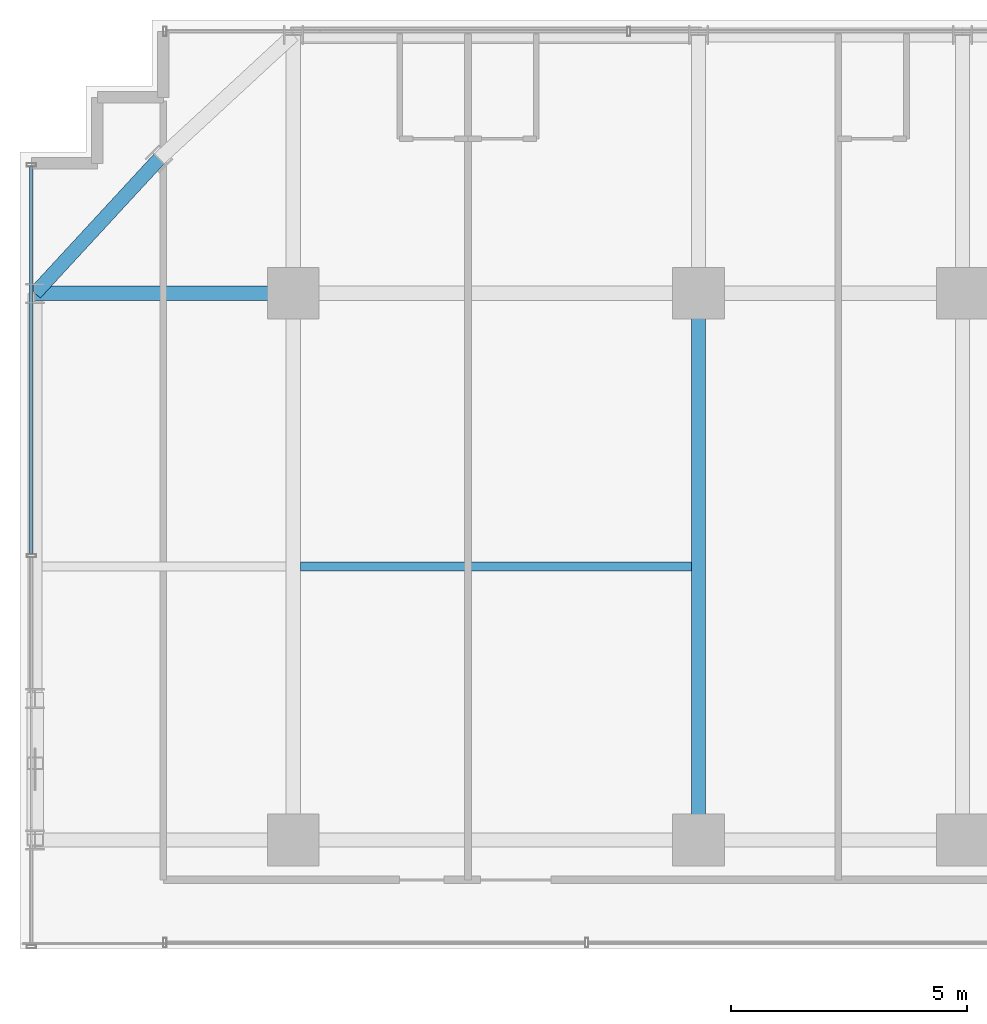
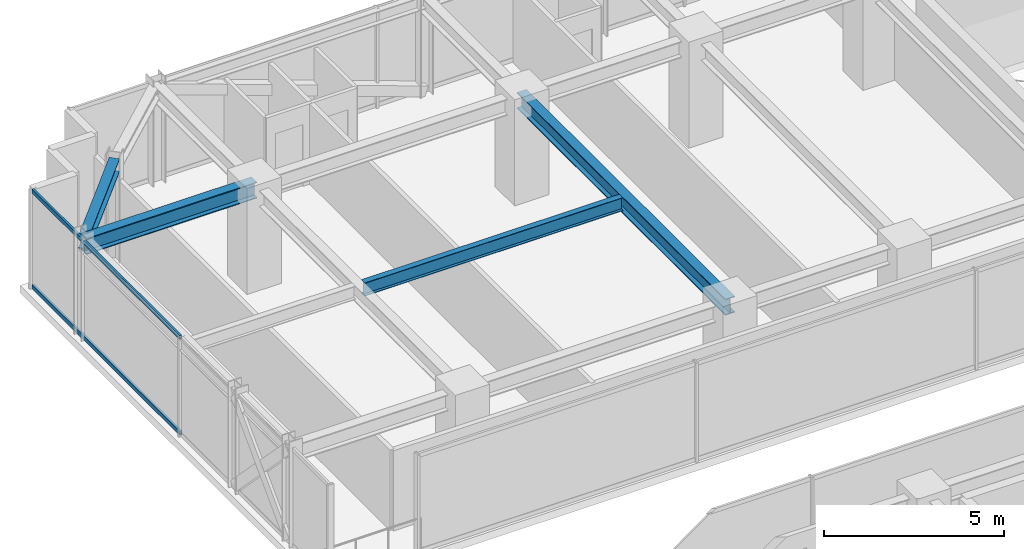
# One storey, part 20 of 38: 4 beams, 2 members, 1 element without a shape of its own.
"""IFC4 building model written with IfcOpenShell, lengths in metres."""

from ifc_helpers import new_model, si_unit, direction, frame, origin, origin_2d, place, context, subcontext, project, spatial, hollow_rectangle, i_section, extrude, source, transform, mapped, material, material_profile, profile_set, type_object, element, aggregate, save


model = new_model("IFC4")

# Units and contexts
model_context = context("Model", 3, precision=1e-05, world=origin(), true_north=direction((0.0, 1.0)))
body_context = subcontext(model_context, "Body", "Model", "MODEL_VIEW")
ifc_project = project(units=[si_unit("LENGTHUNIT", "METRE"), si_unit("AREAUNIT", "SQUARE_METRE"), si_unit("VOLUMEUNIT", "CUBIC_METRE"), si_unit("PLANEANGLEUNIT", "RADIAN"), si_unit("MASSUNIT", "GRAM", prefix="KILO")], contexts=[model_context])

# Site, building, storey
site_placement = place(None, origin())
site = spatial("IfcSite", under=ifc_project, at=site_placement, CompositionType="ELEMENT")
building_placement = place(site_placement, origin())
building = spatial("IfcBuilding", under=site, at=building_placement, Name="Nahalor Promenade Grand Hotel", CompositionType="ELEMENT")
storey_placement = place(building_placement, frame((0.0, 0.0, 163.60009765625)))
storey = spatial("IfcBuildingStorey", under=building, at=storey_placement, Name="L41", CompositionType="ELEMENT", Elevation=163.60009765625)

# Beams
ifc_material_1 = material(Name="Steel S355JR", Category="steel")
ifc_material_profile_1 = material_profile(ifc_material_1, i_section(OverallWidth=0.3, OverallDepth=0.55, WebThickness=0.015, FlangeThickness=0.029, at=origin_2d()), Name="HEB 550")
ifc_profile_set_1 = profile_set([ifc_material_profile_1], Name="Steel S355JR")
beam_type_1 = type_object("IfcBeamType", Name="Beam-Girder-HEB550", PredefinedType="BEAM", material=ifc_profile_set_1)
shared_shape_1 = source(origin(), body_context, "Body", "SweptSolid", [
    extrude(i_section(OverallWidth=0.3, OverallDepth=0.55, WebThickness=0.015, FlangeThickness=0.029, at=origin_2d()), origin(), (0.0, 0.0, 1.0), 11.60009765625),
])
beam_1_placement = place(storey_placement, frame((-8.39990234375, 5.39990234375, 3.114990234375), z_axis=(0.0, 1.0, 0.0), x_axis=(-1.0, 0.0, 0.0)))
element("IfcBeam", 1, at=beam_1_placement, inside=storey, type_object=beam_type_1, Name="BM-L41-GY-1-3", PredefinedType="BEAM", context=body_context, shape_type="MappedRepresentation", body=[
    mapped(shared_shape_1, transform((0.0, 0.0, 0.0), scale=1.0)),
])
ifc_material_profile_2 = material_profile(ifc_material_1, i_section(OverallWidth=0.19, OverallDepth=0.45, WebThickness=0.0094, FlangeThickness=0.0146, at=origin_2d()), Name="IPE 450")
ifc_profile_set_2 = profile_set([ifc_material_profile_2], Name="Steel S355JR")
beam_type_2 = type_object("IfcBeamType", Name="Beam-Joist-IPE450", PredefinedType="JOIST", material=ifc_profile_set_2)
shared_shape_2 = source(origin(), body_context, "Body", "SweptSolid", [
    extrude(i_section(OverallWidth=0.19, OverallDepth=0.45, WebThickness=0.0094, FlangeThickness=0.0146, at=origin_2d()), origin(), (0.0, 0.0, 1.0), 8.300048828125),
])
beam_2_placement = place(storey_placement, frame((-16.85009765625, 11.199951171875, 3.164794921875), z_axis=(1.0, 0.0, 0.0), x_axis=(0.0, 1.0, 0.0)))
element("IfcBeam", 2, at=beam_2_placement, inside=storey, type_object=beam_type_2, Name="BM-L41-JSW-1-1", PredefinedType="JOIST", context=body_context, shape_type="MappedRepresentation", body=[
    mapped(shared_shape_2, transform((0.0, 0.0, 0.0), scale=1.0)),
])
shared_shape_3 = source(origin(), body_context, "Body", "SweptSolid", [
    extrude(i_section(OverallWidth=0.3, OverallDepth=0.55, WebThickness=0.015, FlangeThickness=0.029, at=origin_2d()), origin(), (0.0, 0.0, 1.0), 5.47998046875),
])
beam_3_placement = place(storey_placement, frame((-22.47998046875, 17.0, 3.114990234375), z_axis=(1.0, 0.0, 0.0), x_axis=(0.0, 1.0, 0.0)))
element("IfcBeam", 3, at=beam_3_placement, inside=storey, type_object=beam_type_1, Name="BM-L41-GX-3-0", PredefinedType="BEAM", context=body_context, shape_type="MappedRepresentation", body=[
    mapped(shared_shape_3, transform((0.0, 0.0, 0.0), scale=1.0)),
])
ifc_material_profile_3 = material_profile(ifc_material_1, i_section(OverallWidth=0.3, OverallDepth=0.45, WebThickness=0.014, FlangeThickness=0.026, at=origin_2d()), Name="HEB 450")
ifc_profile_set_3 = profile_set([ifc_material_profile_3], Name="Steel S355JR")
beam_type_3 = type_object("IfcBeamType", Name="Beam-Spandrel-HEB450", PredefinedType="SPANDREL", material=ifc_profile_set_3)
shared_shape_4 = source(origin(), body_context, "Body", "SweptSolid", [
    extrude(i_section(OverallWidth=0.3, OverallDepth=0.45, WebThickness=0.014, FlangeThickness=0.026, at=origin_2d()), origin(), (0.0, 0.0, 1.0), 3.878173828125),
])
beam_4_placement = place(storey_placement, frame((-19.85009765625, 19.85009765625, 3.164794921875), z_axis=(-0.678144125843, -0.73492893846, 0.0), x_axis=(0.73492893846, -0.678144125843, 0.0)))
element("IfcBeam", 4, at=beam_4_placement, inside=storey, type_object=beam_type_3, Name="BM-L41-SPC-NW-2", PredefinedType="SPANDREL", context=body_context, shape_type="MappedRepresentation", body=[
    mapped(shared_shape_4, transform((0.0, 0.0, 0.0), scale=1.0)),
])

# Curtain wall, members
ifc_material_2 = material(Name="Anodised Bronze Aluminium EN AW-6063 T6", Category="aluminium")
curtain_wall_type = type_object("IfcCurtainWallType", Name="CW3 Elliptical-Void Collar Unitised Curtain Wall", PredefinedType="USERDEFINED", material=ifc_material_2)
curtain_wall_placement = place(storey_placement, origin())
curtain_wall = element("IfcCurtainWall", 5, at=curtain_wall_placement, inside=storey, type_object=curtain_wall_type, Name="L41 Curtain Wall CW-L41-W-2", ObjectType="UNITISED_CURTAIN_WALL", PredefinedType="USERDEFINED")
ifc_material_profile_4 = material_profile(ifc_material_2, hollow_rectangle(XDim=0.07, YDim=0.14, WallThickness=0.004, at=origin_2d()), Name="CWT 70x140x4")
ifc_profile_set_4 = profile_set([ifc_material_profile_4], Name="Anodised Bronze Aluminium EN AW-6063 T6")
member_type = type_object("IfcMemberType", Name="CWT3 Void Collar Transom 70x140", PredefinedType="USERDEFINED", material=ifc_profile_set_4)
shared_shape_5 = source(origin(), body_context, "Body", "SweptSolid", [
    extrude(hollow_rectangle(XDim=0.07, YDim=0.14, WallThickness=0.004, at=origin_2d()), origin(), (0.0, 0.0, 1.0), 8.224853515625),
])
member_1_placement = place(storey_placement, frame((-22.56005859375, 11.465087890625, 0.06982421875), z_axis=(0.0, 1.0, 0.0), x_axis=(-1.0, 0.0, 0.0)))
member_1 = element("IfcMember", 6, at=member_1_placement, type_object=member_type, Name="CW-L41-W-2 Transom 1-0", ObjectType="TRANSOM", PredefinedType="USERDEFINED", context=body_context, shape_type="MappedRepresentation", body=[
    mapped(shared_shape_5, transform((0.0, 0.0, 0.0), scale=1.0)),
])
member_2_placement = place(storey_placement, frame((-22.56005859375, 11.465087890625, 3.31982421875), z_axis=(0.0, 1.0, 0.0), x_axis=(-1.0, 0.0, 0.0)))
member_2 = element("IfcMember", 7, at=member_2_placement, type_object=member_type, Name="CW-L41-W-2 Transom 1-1", ObjectType="TRANSOM", PredefinedType="USERDEFINED", context=body_context, shape_type="MappedRepresentation", body=[
    mapped(shared_shape_5, transform((0.0, 0.0, 0.0), scale=1.0)),
])
aggregate(curtain_wall, [member_1, member_2])

save(model, "model.ifc")
